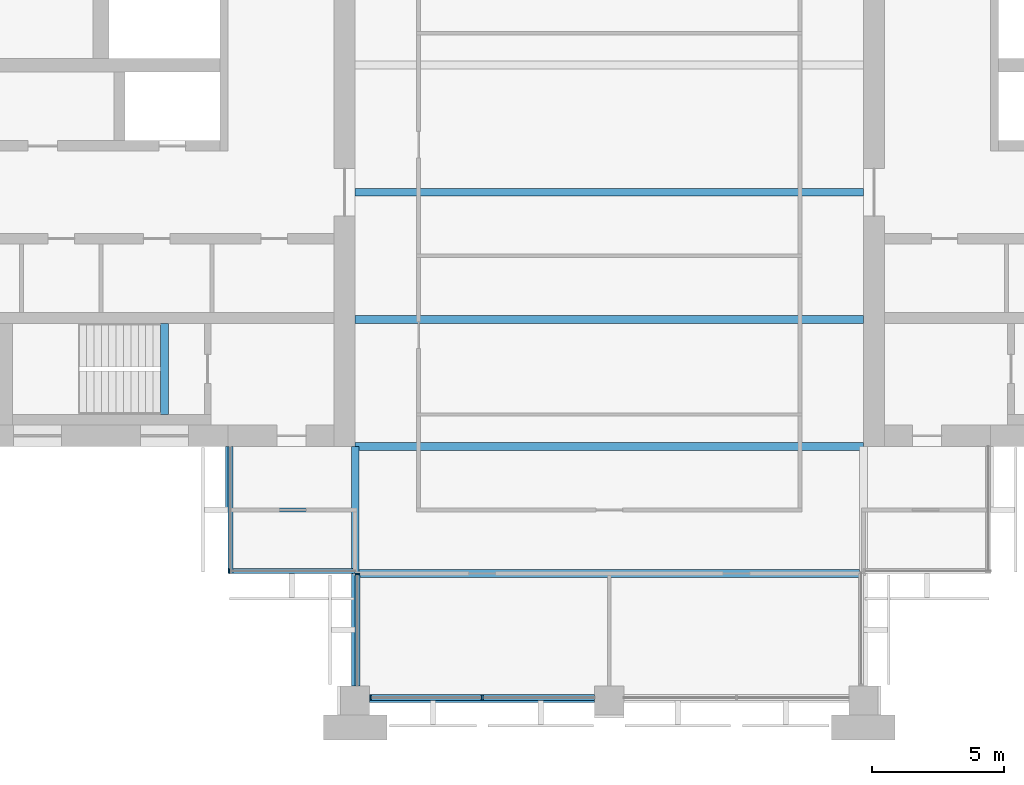
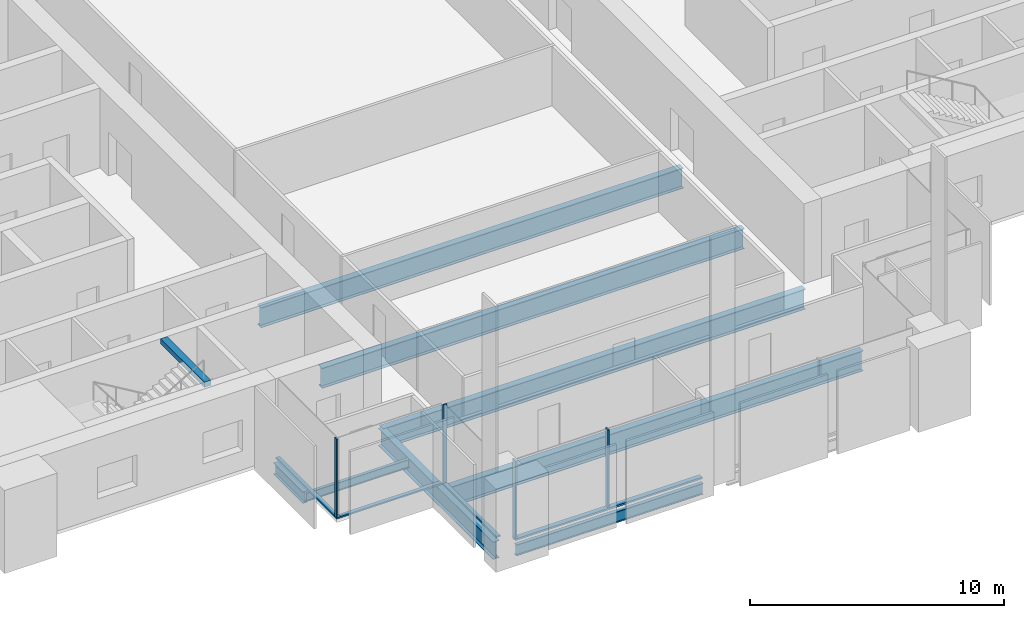
# One storey, part 2 of 13: 9 beams, 8 members, 4 elements without a shape of their own.
"""IFC4 building model written with IfcOpenShell, lengths in metres."""

from ifc_helpers import new_model, si_unit, direction, frame, origin, origin_2d, place, context, subcontext, project, spatial, rectangle, i_section, extrude, material, material_profile, profile_set, type_object, element, aggregate, save


model = new_model("IFC4")

# Units and contexts
model_context = context("Model", 3, precision=1e-05, world=origin(), true_north=direction((0.0, 1.0)))
body_context = subcontext(model_context, "Body", "Model", "MODEL_VIEW")
ifc_project = project(units=[si_unit("LENGTHUNIT", "METRE"), si_unit("AREAUNIT", "SQUARE_METRE"), si_unit("VOLUMEUNIT", "CUBIC_METRE"), si_unit("PLANEANGLEUNIT", "RADIAN"), si_unit("MASSUNIT", "GRAM", prefix="KILO")], contexts=[model_context])

# Site, building, storey
site_placement = place(None, origin())
site = spatial("IfcSite", under=ifc_project, at=site_placement, CompositionType="ELEMENT")
building_placement = place(site_placement, origin())
building = spatial("IfcBuilding", under=site, at=building_placement, Name="Baori Bourse Tower", CompositionType="ELEMENT")
storey_placement = place(building_placement, frame((0.0, 0.0, 249.199951171875)))
storey = spatial("IfcBuildingStorey", under=building, at=storey_placement, Name="L55", CompositionType="ELEMENT", Elevation=249.199951171875)

# Curtain wall, member
ifc_material_1 = material(Name="Pale anodised aluminium", Category="aluminium")
curtain_wall_type_1 = type_object("IfcCurtainWallType", Name="CW2 Curtain wall", PredefinedType="NOTDEFINED", material=ifc_material_1)
curtain_wall_1_placement = place(storey_placement, origin())
curtain_wall_1 = element("IfcCurtainWall", 1, at=curtain_wall_1_placement, inside=storey, type_object=curtain_wall_type_1, Name="Curtain wall CW2 L55 9", PredefinedType="NOTDEFINED")
ifc_material_2 = material(Name="Pale anodised aluminium", Category="aluminium")
ifc_material_profile_1 = material_profile(ifc_material_2, rectangle(XDim=0.179931640625, YDim=0.054931640625, at=origin_2d()), Name="Mullion 55x180")
ifc_profile_set_1 = profile_set([ifc_material_profile_1], Name="Pale anodised aluminium")
member_type_1 = type_object("IfcMemberType", Name="CW2 Curtain wall mullion", PredefinedType="MULLION", material=ifc_profile_set_1)
member_1_placement = place(storey_placement, frame((14.427490234375, 4.889892578125, 0.070068359375), z_axis=(0.0, 0.0, 1.0), x_axis=(0.0, 1.0, 0.0)))
member_1 = element("IfcMember", 2, at=member_1_placement, type_object=member_type_1, Name="Curtain wall CW2 mullion", PredefinedType="MULLION", context=body_context, shape_type="SweptSolid", body=[
    extrude(rectangle(XDim=0.179931640625, YDim=0.054931640625, at=origin_2d()), origin(), (0.0, 0.0, 1.0), 3.77001953125),
])

curtain_wall_2_placement = place(storey_placement, origin())
curtain_wall_2 = element("IfcCurtainWall", 3, at=curtain_wall_2_placement, inside=storey, type_object=curtain_wall_type_1, Name="Curtain wall CW2 L55 10", PredefinedType="NOTDEFINED")
member_2_placement = place(storey_placement, frame((19.2900390625, 4.7724609375, 0.070068359375), z_axis=(0.0, 0.0, 1.0), x_axis=(1.0, 0.0, 0.0)))
member_2 = element("IfcMember", 4, at=member_2_placement, type_object=member_type_1, Name="Curtain wall CW2 mullion", PredefinedType="MULLION", context=body_context, shape_type="SweptSolid", body=[
    extrude(rectangle(XDim=0.179931640625, YDim=0.054931640625, at=origin_2d()), origin(), (0.0, 0.0, 1.0), 3.77001953125),
])

curtain_wall_3_placement = place(storey_placement, origin())
curtain_wall_3 = element("IfcCurtainWall", 5, at=curtain_wall_3_placement, inside=storey, type_object=curtain_wall_type_1, Name="Curtain wall CW2 L55 8", PredefinedType="NOTDEFINED")
ifc_material_3 = material(Name="Pale anodised aluminium", Category="aluminium")
ifc_material_profile_2 = material_profile(ifc_material_3, rectangle(XDim=0.179931640625, YDim=0.070068359375, at=origin_2d()), Name="Transom 70x180")
ifc_profile_set_2 = profile_set([ifc_material_profile_2], Name="Pale anodised aluminium")
member_type_2 = type_object("IfcMemberType", Name="CW2 Curtain wall transom", PredefinedType="USERDEFINED", material=ifc_profile_set_2)
member_3_placement = place(storey_placement, frame((14.489990234375, 9.60009765625, 0.03515625), z_axis=(0.0, -1.0, 0.0), x_axis=(1.0, 0.0, 0.0)))
member_3 = element("IfcMember", 6, at=member_3_placement, type_object=member_type_2, Name="Curtain wall CW2 sill rail", ObjectType="TRANSOM", PredefinedType="USERDEFINED", context=body_context, shape_type="SweptSolid", body=[
    extrude(rectangle(XDim=0.179931640625, YDim=0.070068359375, at=origin_2d()), origin(), (0.0, 0.0, 1.0), 4.800048828125),
])
aggregate(curtain_wall_3, [member_3])

# Member
member_4_placement = place(storey_placement, frame((14.39990234375, 4.889892578125, 0.03515625), z_axis=(1.0, 0.0, 0.0), x_axis=(0.0, 1.0, 0.0)))
member_4 = element("IfcMember", 7, at=member_4_placement, type_object=member_type_2, Name="Curtain wall CW2 sill rail", ObjectType="TRANSOM", PredefinedType="USERDEFINED", context=body_context, shape_type="SweptSolid", body=[
    extrude(rectangle(XDim=0.179931640625, YDim=0.070068359375, at=origin_2d()), origin(), (0.0, 0.0, 1.0), 4.800048828125),
])

aggregate(curtain_wall_1, [member_4, member_1])

member_5_placement = place(storey_placement, frame((19.2900390625, 4.800048828125, 0.03515625), z_axis=(0.0, -1.0, 0.0), x_axis=(1.0, 0.0, 0.0)))
member_5 = element("IfcMember", 8, at=member_5_placement, type_object=member_type_2, Name="Curtain wall CW2 sill rail", ObjectType="TRANSOM", PredefinedType="USERDEFINED", context=body_context, shape_type="SweptSolid", body=[
    extrude(rectangle(XDim=0.179931640625, YDim=0.070068359375, at=origin_2d()), origin(), (0.0, 0.0, 1.0), 4.25),
])

aggregate(curtain_wall_2, [member_5, member_2])

# Curtain wall, members
ifc_material_4 = material(Name="Pale anodised aluminium", Category="aluminium")
curtain_wall_type_2 = type_object("IfcCurtainWallType", Name="CW5 Curtain wall", PredefinedType="NOTDEFINED", material=ifc_material_4)
curtain_wall_4_placement = place(storey_placement, origin())
curtain_wall_4 = element("IfcCurtainWall", 9, at=curtain_wall_4_placement, inside=storey, type_object=curtain_wall_type_2, Name="Curtain wall CW5 L55 11", PredefinedType="NOTDEFINED")
ifc_material_5 = material(Name="Pale anodised aluminium", Category="aluminium")
ifc_material_profile_3 = material_profile(ifc_material_5, rectangle(XDim=0.219970703125, YDim=0.06494140625, at=origin_2d()), Name="Mullion 65x220")
ifc_profile_set_3 = profile_set([ifc_material_profile_3], Name="Pale anodised aluminium")
member_type_3 = type_object("IfcMemberType", Name="CW5 Curtain wall mullion", PredefinedType="MULLION", material=ifc_profile_set_3)
member_6_placement = place(storey_placement, frame((19.782470703125, 0.110107421875, 0.0849609375), z_axis=(0.0, 0.0, 1.0), x_axis=(0.0, 1.0, 0.0)))
member_6 = element("IfcMember", 10, at=member_6_placement, type_object=member_type_3, Name="Curtain wall CW5 mullion", PredefinedType="MULLION", context=body_context, shape_type="SweptSolid", body=[
    extrude(rectangle(XDim=0.219970703125, YDim=0.06494140625, at=origin_2d()), origin(), (0.0, 0.0, 1.0), 3.755126953125),
])
member_7_placement = place(storey_placement, frame((24.0, 0.110107421875, 0.0849609375), z_axis=(0.0, 0.0, 1.0), x_axis=(0.0, 1.0, 0.0)))
member_7 = element("IfcMember", 11, at=member_7_placement, type_object=member_type_3, Name="Curtain wall CW5 mullion", PredefinedType="MULLION", context=body_context, shape_type="SweptSolid", body=[
    extrude(rectangle(XDim=0.219970703125, YDim=0.06494140625, at=origin_2d()), origin(), (0.0, 0.0, 1.0), 3.755126953125),
])
ifc_material_6 = material(Name="Pale anodised aluminium", Category="aluminium")
ifc_material_profile_4 = material_profile(ifc_material_6, rectangle(XDim=0.219970703125, YDim=0.0849609375, at=origin_2d()), Name="Transom 85x220")
ifc_profile_set_4 = profile_set([ifc_material_profile_4], Name="Pale anodised aluminium")
member_type_4 = type_object("IfcMemberType", Name="CW5 Curtain wall transom", PredefinedType="USERDEFINED", material=ifc_profile_set_4)
member_8_placement = place(storey_placement, frame((19.75, 0.110107421875, 0.04248046875), z_axis=(1.0, 0.0, 0.0), x_axis=(0.0, 1.0, 0.0)))
member_8 = element("IfcMember", 12, at=member_8_placement, type_object=member_type_4, Name="Curtain wall CW5 sill rail", ObjectType="TRANSOM", PredefinedType="USERDEFINED", context=body_context, shape_type="SweptSolid", body=[
    extrude(rectangle(XDim=0.219970703125, YDim=0.0849609375, at=origin_2d()), origin(), (0.0, 0.0, 1.0), 8.5),
])
aggregate(curtain_wall_4, [member_8, member_6, member_7])

# Beams
ifc_material_7 = material(Name="Steel A992 Gr 50", Category="steel")
ifc_material_profile_5 = material_profile(ifc_material_7, i_section(OverallWidth=0.21240234375, OverallDepth=0.54345703125, WebThickness=0.01318359375, FlangeThickness=0.021240234375, at=origin_2d()), Name="W21x83")
ifc_profile_set_5 = profile_set([ifc_material_profile_5], Name="Steel A992 Gr 50")
beam_type_1 = type_object("IfcBeamType", Name="Core bracket W21x83", PredefinedType="BEAM", material=ifc_profile_set_5)
beam_1_placement = place(storey_placement, frame((14.39990234375, 7.270263671875, -0.431640625), z_axis=(0.0, 1.0, 0.0), x_axis=(-1.0, 0.0, 0.0)))
element("IfcBeam", 13, at=beam_1_placement, inside=storey, type_object=beam_type_1, Name="Core bracket L55", PredefinedType="BEAM", context=body_context, shape_type="SweptSolid", body=[
    extrude(i_section(OverallWidth=0.21240234375, OverallDepth=0.54345703125, WebThickness=0.01318359375, FlangeThickness=0.021240234375, at=origin_2d()), origin(), (0.0, 0.0, 1.0), 2.329833984375),
])
ifc_material_8 = material(Name="Steel A992 Gr 50", Category="steel")
ifc_material_profile_6 = material_profile(ifc_material_8, i_section(OverallWidth=0.1650390625, OverallDepth=0.52587890625, WebThickness=0.0087890625, FlangeThickness=0.011474609375, at=origin_2d()), Name="W21x44")
ifc_profile_set_6 = profile_set([ifc_material_profile_6], Name="Steel A992 Gr 50")
beam_type_2 = type_object("IfcBeamType", Name="Edge beam W21x44", PredefinedType="BEAM", material=ifc_profile_set_6)
beam_2_placement = place(storey_placement, frame((19.75, 0.0, -0.4228515625), z_axis=(1.0, 0.0, 0.0), x_axis=(0.0, 1.0, 0.0)))
element("IfcBeam", 14, at=beam_2_placement, inside=storey, type_object=beam_type_2, Name="Edge beam L55", PredefinedType="BEAM", context=body_context, shape_type="SweptSolid", body=[
    extrude(i_section(OverallWidth=0.1650390625, OverallDepth=0.52587890625, WebThickness=0.0087890625, FlangeThickness=0.011474609375, at=origin_2d()), origin(), (0.0, 0.0, 1.0), 8.5),
])
ifc_material_9 = material(Name="Steel A992 Gr 50", Category="steel")
ifc_material_profile_7 = material_profile(ifc_material_9, i_section(OverallWidth=0.2998046875, OverallDepth=0.97021484375, WebThickness=0.01611328125, FlangeThickness=0.02099609375, at=origin_2d()), Name="W40x149")
ifc_profile_set_7 = profile_set([ifc_material_profile_7], Name="Steel A992 Gr 50")
beam_type_3 = type_object("IfcBeamType", Name="Floor beam W40x149", PredefinedType="BEAM", material=ifc_profile_set_7)
beam_3_placement = place(storey_placement, frame((19.345947265625, 4.800048828125, -0.64501953125), z_axis=(1.0, 0.0, 0.0), x_axis=(0.0, 1.0, 0.0)))
element("IfcBeam", 15, at=beam_3_placement, inside=storey, type_object=beam_type_3, Name="Floor beam L55", PredefinedType="BEAM", context=body_context, shape_type="SweptSolid", body=[
    extrude(i_section(OverallWidth=0.2998046875, OverallDepth=0.97021484375, WebThickness=0.01611328125, FlangeThickness=0.02099609375, at=origin_2d()), origin(), (0.0, 0.0, 1.0), 18.907958984375),
])
for number, where, z_axis, x_axis, name in (
    (16, (19.199951171875, 9.60009765625, -0.64501953125), (1.0, 0.0, 0.0), (0.0, 1.0, 0.0), "Floor beam L55"),
    (17, (19.199951171875, 14.39990234375, -0.64501953125), (1.0, 0.0, 0.0), (0.0, 1.0, 0.0), "Floor beam L55"),
    (18, (19.199951171875, 19.199951171875, -0.64501953125), (1.0, 0.0, 0.0), (0.0, 1.0, 0.0), "Floor beam L55"),
):
    element("IfcBeam", number, at=place(storey_placement, frame(where, z_axis=z_axis, x_axis=x_axis)), inside=storey, type_object=beam_type_3, Name=name, PredefinedType="BEAM", context=body_context, shape_type="SweptSolid", body=[
        extrude(i_section(OverallWidth=0.2998046875, OverallDepth=0.97021484375, WebThickness=0.01611328125, FlangeThickness=0.02099609375, at=origin_2d()), origin(), (0.0, 0.0, 1.0), 19.199951171875),
    ])
ifc_material_10 = material(Name="Steel A992 Gr 50", Category="steel")
ifc_material_profile_8 = material_profile(ifc_material_10, i_section(OverallWidth=0.2919921875, OverallDepth=0.835693359375, WebThickness=0.013916015625, FlangeThickness=0.018798828125, at=origin_2d()), Name="W33x118")
ifc_profile_set_8 = profile_set([ifc_material_profile_8], Name="Steel A992 Gr 50")
beam_type_4 = type_object("IfcBeamType", Name="Girder W33x118", PredefinedType="BEAM", material=ifc_profile_set_8)
beam_4_placement = place(storey_placement, frame((19.199951171875, 0.550048828125, -0.577880859375), z_axis=(0.0, 1.0, 0.0), x_axis=(-1.0, 0.0, 0.0)))
element("IfcBeam", 19, at=beam_4_placement, inside=storey, type_object=beam_type_4, Name="Girder L55", PredefinedType="BEAM", context=body_context, shape_type="SweptSolid", body=[
    extrude(i_section(OverallWidth=0.2919921875, OverallDepth=0.835693359375, WebThickness=0.013916015625, FlangeThickness=0.018798828125, at=origin_2d()), origin(), (0.0, 0.0, 1.0), 9.050048828125),
])
ifc_material_11 = material(Name="Concrete f'c 50 MPa", Category="concrete")
ifc_material_profile_9 = material_profile(ifc_material_11, rectangle(XDim=0.300048828125, YDim=0.25, at=origin_2d()), Name="RC 300x250")
ifc_profile_set_9 = profile_set([ifc_material_profile_9], Name="Concrete f'c 50 MPa")
beam_type_5 = type_object("IfcBeamType", Name="Stair nib beam RC 300x250", PredefinedType="BEAM", material=ifc_profile_set_9)
beam_5_placement = place(storey_placement, frame((12.0, 10.800048828125, 3.715087890625), z_axis=(0.0, 1.0, 0.0), x_axis=(-1.0, 0.0, 0.0)))
element("IfcBeam", 20, at=beam_5_placement, inside=storey, type_object=beam_type_5, Name="Stair WA nib beam L56", PredefinedType="BEAM", context=body_context, shape_type="SweptSolid", body=[
    extrude(rectangle(XDim=0.300048828125, YDim=0.25, at=origin_2d()), origin(), (0.0, 0.0, 1.0), 3.449951171875),
])
ifc_material_12 = material(Name="Steel A992 Gr 50", Category="steel")
ifc_material_profile_10 = material_profile(ifc_material_12, i_section(OverallWidth=0.140380859375, OverallDepth=0.40380859375, WebThickness=0.007080078125, FlangeThickness=0.01123046875, at=origin_2d()), Name="W16x31")
ifc_profile_set_10 = profile_set([ifc_material_profile_10], Name="Steel A992 Gr 50")
beam_type_6 = type_object("IfcBeamType", Name="Trimmer beam W16x31", PredefinedType="BEAM", material=ifc_profile_set_10)
beam_6_placement = place(storey_placement, frame((14.39990234375, 7.199951171875, -0.36181640625), z_axis=(1.0, 0.0, 0.0), x_axis=(0.0, 1.0, 0.0)))
element("IfcBeam", 21, at=beam_6_placement, inside=storey, type_object=beam_type_6, Name="Trimmer beam L55", PredefinedType="BEAM", context=body_context, shape_type="SweptSolid", body=[
    extrude(i_section(OverallWidth=0.140380859375, OverallDepth=0.40380859375, WebThickness=0.007080078125, FlangeThickness=0.01123046875, at=origin_2d()), origin(), (0.0, 0.0, 1.0), 4.654052734375),
])

save(model, "model.ifc")
